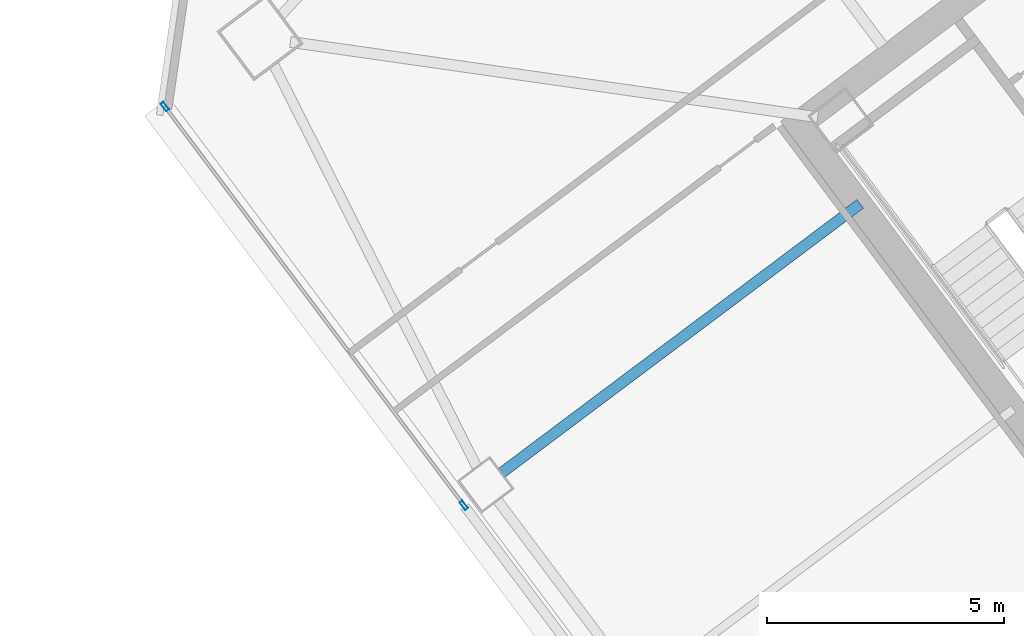
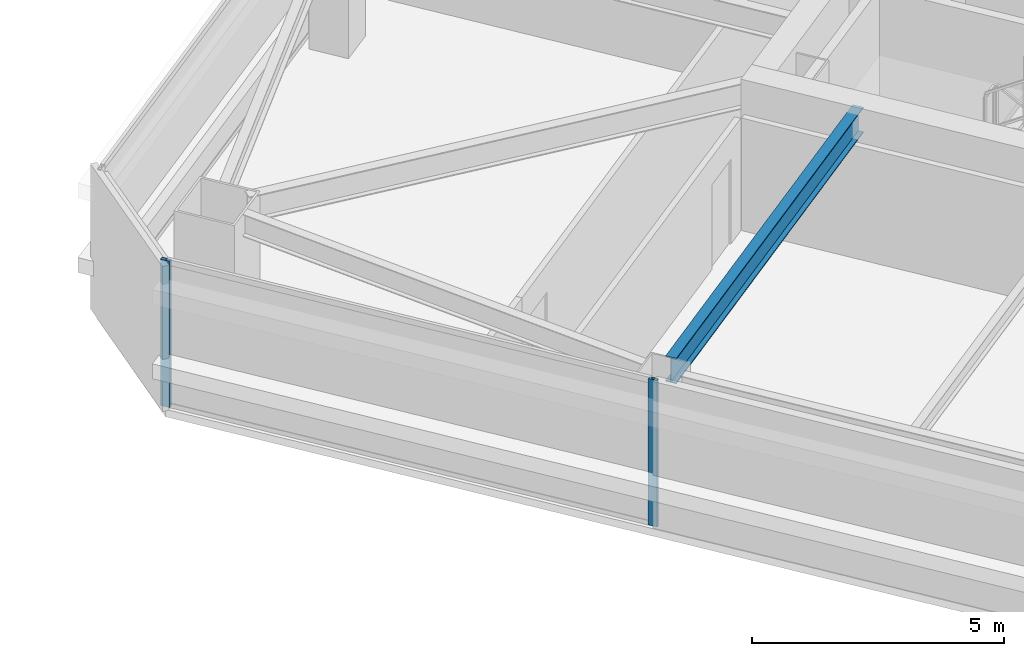
# One storey, part 19 of 41: 2 members, 1 beam, 1 element without a shape of its own.
"""IFC4 building model written with IfcOpenShell, lengths in metres."""

import ifcopenshell
import ifcopenshell.guid

model = None  # the IFC model being written
_history = None  # IfcOwnerHistory: only IFC2X3 demands one
_inside = {}  # id of a spatial element -> (the spatial element, [elements in it])
_under = {}  # id of a project, library or spatial element -> (it, [spatial elements below it])
_declared = {}  # id of a project -> (the project, [libraries it declares])
_typed = {}  # id of a type object -> (the type object, [elements of that type])
_made_of = {}  # id of a material, layer set ... -> (it, [elements and type objects made of it])


def new_model(schema):
    """Start an empty IFC model of exactly this schema.

    Asked for "IFC4X3", IfcOpenShell would pick the latest addendum, in which some entities
    have other attributes; the version numbers below select the first issue.
    IFC2X3 requires an IfcOwnerHistory on every rooted entity: one is made here for all.
    """
    global model, _history
    if schema == "IFC4X3":
        model = ifcopenshell.file(schema_version=(4, 3, 0, 0))
    else:
        model = ifcopenshell.file(schema=schema)
    _inside.clear()
    _under.clear()
    _declared.clear()
    _typed.clear()
    _made_of.clear()
    _history = None
    if model.schema == "IFC2X3":
        org = make("IfcOrganization", Name="unknown")
        user = make(
            "IfcPersonAndOrganization",
            ThePerson=make("IfcPerson", FamilyName="unknown"),
            TheOrganization=org,
        )
        app = make(
            "IfcApplication",
            ApplicationDeveloper=org,
            Version="unknown",
            ApplicationFullName="unknown",
            ApplicationIdentifier="unknown",
        )
        _history = make(
            "IfcOwnerHistory",
            OwningUser=user,
            OwningApplication=app,
            ChangeAction="ADDED",
            CreationDate=0,
        )
    return model


def make(cls, **values):
    """One entity of the class cls with the attributes given. An attribute that is None is left unset."""
    return model.create_entity(
        cls, **{name: value for name, value in values.items() if value is not None}
    )


def rooted(cls, **values):
    """An entity with a GlobalId (a new one), such as an element, a storey or a relation."""
    return make(cls, GlobalId=ifcopenshell.guid.new(), OwnerHistory=_history, **values)


def si_unit(unit_type, name, prefix=None):
    """IfcSIUnit, for example si_unit("LENGTHUNIT", "METRE", prefix="MILLI")."""
    return make("IfcSIUnit", UnitType=unit_type, Prefix=prefix, Name=name)


def assignment(units):
    """IfcUnitAssignment: the units of a project."""
    return None if units is None else make("IfcUnitAssignment", Units=units)


def point(xyz):
    """IfcCartesianPoint."""
    return None if xyz is None else make("IfcCartesianPoint", Coordinates=xyz)


def direction(xyz):
    """IfcDirection."""
    return None if xyz is None else make("IfcDirection", DirectionRatios=xyz)


def frame(location, z_axis=None, x_axis=None):
    """IfcAxis2Placement3D, a coordinate frame: its origin and axes. An axis left out is left unset."""
    return make(
        "IfcAxis2Placement3D",
        Location=point(location),
        Axis=direction(z_axis),
        RefDirection=direction(x_axis),
    )


def frame_2d(location, x_axis=None):
    """IfcAxis2Placement2D, a coordinate frame in the plane: its origin and x axis."""
    return make(
        "IfcAxis2Placement2D", Location=point(location), RefDirection=direction(x_axis)
    )


def origin():
    """The frame at (0, 0, 0) with its axes left unset."""
    return frame((0.0, 0.0, 0.0))


def origin_2d():
    """The frame at (0, 0) in the plane with its x axis left unset."""
    return frame_2d((0.0, 0.0))


def place(relative_to, where):
    """IfcLocalPlacement: puts the frame where relative to a parent placement (None: the world)."""
    return make(
        "IfcLocalPlacement", PlacementRelTo=relative_to, RelativePlacement=where
    )


def context(
    kind, dimensions, precision=None, world=None, true_north=None, identifier=None
):
    """IfcGeometricRepresentationContext, for example the 3D "Model" context."""
    return make(
        "IfcGeometricRepresentationContext",
        ContextIdentifier=identifier,
        ContextType=kind,
        CoordinateSpaceDimension=dimensions,
        Precision=precision,
        WorldCoordinateSystem=world,
        TrueNorth=true_north,
    )


def subcontext(parent, identifier, kind, view, scale=None):
    """IfcGeometricRepresentationSubContext, for example "Body" below "Model"."""
    return make(
        "IfcGeometricRepresentationSubContext",
        ContextIdentifier=identifier,
        ContextType=kind,
        ParentContext=parent,
        TargetScale=scale,
        TargetView=view,
    )


def project(units=None, contexts=None):
    """IfcProject with its units and contexts."""
    return rooted(
        "IfcProject",
        Name="project",
        RepresentationContexts=contexts,
        UnitsInContext=assignment(units),
    )


def spatial(cls, under=None, at=None, **own):
    """A site, building, storey or space (cls), placed at a placement, below another one or the project."""
    s = rooted(cls, ObjectPlacement=at, **own)
    if under is not None:
        _under.setdefault(under.id(), (under, []))[1].append(s)
    return s


def profile(cls, at=None, kind="AREA", **sizes):
    """A parametric profile (cls). Its sizes go by their IFC names, for example OverallWidth=200.0."""
    return make(cls, ProfileType=kind, Position=at, **sizes)


def hollow_rectangle(**sizes):
    """IfcRectangleHollowProfileDef."""
    return profile("IfcRectangleHollowProfileDef", **sizes)


def i_section(**sizes):
    """IfcIShapeProfileDef."""
    return profile("IfcIShapeProfileDef", **sizes)


def extrude(swept, where, along, depth):
    """IfcExtrudedAreaSolid: the profile swept, set in the frame where, extruded along a direction by depth."""
    return make(
        "IfcExtrudedAreaSolid",
        SweptArea=swept,
        Position=where,
        ExtrudedDirection=direction(along),
        Depth=depth,
    )


def shape(context_of_items, identifier, shape_type, items):
    """IfcShapeRepresentation: the items that make up one representation, for example the "Body"."""
    return make(
        "IfcShapeRepresentation",
        ContextOfItems=context_of_items,
        RepresentationIdentifier=identifier,
        RepresentationType=shape_type,
        Items=items,
    )


def material(Name=None, Category=None):
    """IfcMaterial."""
    return make("IfcMaterial", Name=Name, Category=Category)


def material_profile(
    of_material, cross_section, Name=None, Category=None, Priority=None
):
    """IfcMaterialProfile: a cross section and its material."""
    return make(
        "IfcMaterialProfile",
        Name=Name,
        Material=of_material,
        Profile=cross_section,
        Priority=Priority,
        Category=Category,
    )


def profile_set(profiles, Name=None, composite=None):
    """IfcMaterialProfileSet."""
    return make(
        "IfcMaterialProfileSet",
        Name=Name,
        MaterialProfiles=profiles,
        CompositeProfile=composite,
    )


def made_of(thing, what):
    """Note that an element or type object is made of a material, layer set ...; save() writes the relation."""
    if what is not None:
        _made_of.setdefault(what.id(), (what, []))[1].append(thing)
    return thing


def type_object(cls, material=None, **own):
    """A type object (cls), such as IfcWallType, which elements share."""
    return made_of(rooted(cls, **own), material)


def element(
    cls,
    number,
    at=None,
    inside=None,
    cuts=None,
    type_object=None,
    material=None,
    context=None,
    identifier="Body",
    shape_type=None,
    held_by="IfcProductDefinitionShape",
    body=None,
    shapes=None,
    **own,
):
    """One element of the class cls, such as IfcWall. Its Tag is "e" and its number.

    at: its placement. inside: the storey or other place that contains it. cuts: it is an
    opening in that element (IfcRelVoidsElement). A single representation is given by context,
    identifier, shape_type and body (its items); several are given by shapes. held_by: the class
    of the entity that holds the representations. save() writes the other relations.
    """
    e = rooted(cls, Tag="e%d" % number, ObjectPlacement=at, **own)
    if body is not None:
        shapes = [shape(context, identifier, shape_type, body)]
    if shapes is not None:
        e.Representation = make(held_by, Representations=shapes)
    if inside is not None:
        _inside.setdefault(inside.id(), (inside, []))[1].append(e)
    if cuts is not None:
        rooted(
            "IfcRelVoidsElement", RelatingBuildingElement=cuts, RelatedOpeningElement=e
        )
    if type_object is not None:
        _typed.setdefault(type_object.id(), (type_object, []))[1].append(e)
    return made_of(e, material)


def aggregate(whole, parts):
    """IfcRelAggregates: a whole, such as a stair, and the parts it consists of."""
    return rooted("IfcRelAggregates", RelatingObject=whole, RelatedObjects=parts)


def save(model, path):
    """Write the relations noted so far, then the file.

    IfcRelAggregates (storeys below a building ...), IfcRelContainedInSpatialStructure (elements
    in a storey), IfcRelDefinesByType, IfcRelAssociatesMaterial and IfcRelDeclares: one each for
    every whole, place, type object, material and project.
    """
    for whole, parts in _under.values():
        aggregate(whole, parts)
    for where, things in _inside.values():
        rooted(
            "IfcRelContainedInSpatialStructure",
            RelatedElements=things,
            RelatingStructure=where,
        )
    for kind, things in _typed.values():
        rooted("IfcRelDefinesByType", RelatedObjects=things, RelatingType=kind)
    for what, things in _made_of.values():
        rooted("IfcRelAssociatesMaterial", RelatedObjects=things, RelatingMaterial=what)
    for by, libraries in _declared.values():
        rooted("IfcRelDeclares", RelatingContext=by, RelatedDefinitions=libraries)
    model.write(path)


model = new_model("IFC4")

# Units and contexts
model_context = context("Model", 3, precision=1e-05, world=origin(), true_north=direction((0.0, 1.0)))
body_context = subcontext(model_context, "Body", "Model", "MODEL_VIEW")
ifc_project = project(units=[si_unit("LENGTHUNIT", "METRE"), si_unit("AREAUNIT", "SQUARE_METRE"), si_unit("VOLUMEUNIT", "CUBIC_METRE"), si_unit("PLANEANGLEUNIT", "RADIAN"), si_unit("MASSUNIT", "GRAM", prefix="KILO")], contexts=[model_context])

# Site, building, storey
site_placement = place(None, origin())
site = spatial("IfcSite", under=ifc_project, at=site_placement, CompositionType="ELEMENT")
building_placement = place(site_placement, origin())
building = spatial("IfcBuilding", under=site, at=building_placement, Name="Tashvorn Skyway Center", CompositionType="ELEMENT")
storey_placement = place(building_placement, frame((0.0, 0.0, 117.949951171875)))
storey = spatial("IfcBuildingStorey", under=building, at=storey_placement, Name="L31", CompositionType="ELEMENT", Elevation=117.949951171875)

# Beam
ifc_material_1 = material(Name="Steel ASTM A992 Grade 50", Category="steel")
ifc_material_profile_1 = material_profile(ifc_material_1, i_section(OverallWidth=0.22998046875, OverallDepth=0.616943359375, WebThickness=0.01318359375, FlangeThickness=0.022216796875, at=origin_2d()), Name="W24X94")
ifc_profile_set_1 = profile_set([ifc_material_profile_1], Name="Steel ASTM A992 Grade 50")
beam_type = type_object("IfcBeamType", Name="BM-BEAM-W24X94", PredefinedType="BEAM", material=ifc_profile_set_1)
beam_placement = place(storey_placement, frame((96.97607421875, 25.98193359375, 3.0615234375), z_axis=(0.799984498661, 0.600020667896, 0.0), x_axis=(-0.600020667896, 0.799984498661, 0.0)))
element("IfcBeam", 1, at=beam_placement, inside=storey, type_object=beam_type, Name="Tower 2 L31 Primary Floor Girder FC-W1", PredefinedType="BEAM", context=body_context, shape_type="SweptSolid", body=[
    extrude(i_section(OverallWidth=0.22998046875, OverallDepth=0.616943359375, WebThickness=0.01318359375, FlangeThickness=0.022216796875, at=origin_2d()), origin(), (0.0, 0.0, 1.0), 9.449951171875),
])

# Curtain wall, members
ifc_material_2 = material(Name="Thermally broken bronze-anodized aluminium 6063-T6", Category="aluminium")
curtain_wall_type = type_object("IfcCurtainWallType", Name="CW-CW-Z3", PredefinedType="NOTDEFINED", material=ifc_material_2)
curtain_wall_placement = place(storey_placement, origin())
curtain_wall = element("IfcCurtainWall", 2, at=curtain_wall_placement, inside=storey, type_object=curtain_wall_type, Name="Tower 2 L31 West Unitised Curtain Wall Glazing Group 2", PredefinedType="NOTDEFINED")
ifc_material_profile_2 = material_profile(ifc_material_2, hollow_rectangle(XDim=0.074951171875, YDim=0.199951171875, WallThickness=0.00439453125, at=origin_2d()), Name="ALU-MULL-75x200")
ifc_profile_set_2 = profile_set([ifc_material_profile_2], Name="Thermally broken bronze-anodized aluminium 6063-T6")
member_type = type_object("IfcMemberType", Name="CWM-CW-Z3", PredefinedType="MULLION", material=ifc_profile_set_2)
member_1_placement = place(storey_placement, frame((96.177490234375, 25.296630859375, 0.0), z_axis=(0.0, 0.0, 1.0), x_axis=(-0.799998866489, -0.600001511345, 0.0)))
member_1 = element("IfcMember", 3, at=member_1_placement, type_object=member_type, Name="CW-Z3 mullion 1", PredefinedType="MULLION", context=body_context, shape_type="SweptSolid", body=[
    extrude(hollow_rectangle(XDim=0.074951171875, YDim=0.199951171875, WallThickness=0.00439453125, at=origin_2d()), origin(), (0.0, 0.0, 1.0), 3.550048828125),
])
member_2_placement = place(storey_placement, frame((89.87060546875, 33.7060546875, 0.0), z_axis=(0.0, 0.0, 1.0), x_axis=(-0.799998866489, -0.600001511345, 0.0)))
member_2 = element("IfcMember", 4, at=member_2_placement, type_object=member_type, Name="CW-Z3 mullion 2", PredefinedType="MULLION", context=body_context, shape_type="SweptSolid", body=[
    extrude(hollow_rectangle(XDim=0.074951171875, YDim=0.199951171875, WallThickness=0.00439453125, at=origin_2d()), origin(), (0.0, 0.0, 1.0), 3.550048828125),
])
aggregate(curtain_wall, [member_1, member_2])

save(model, "model.ifc")
